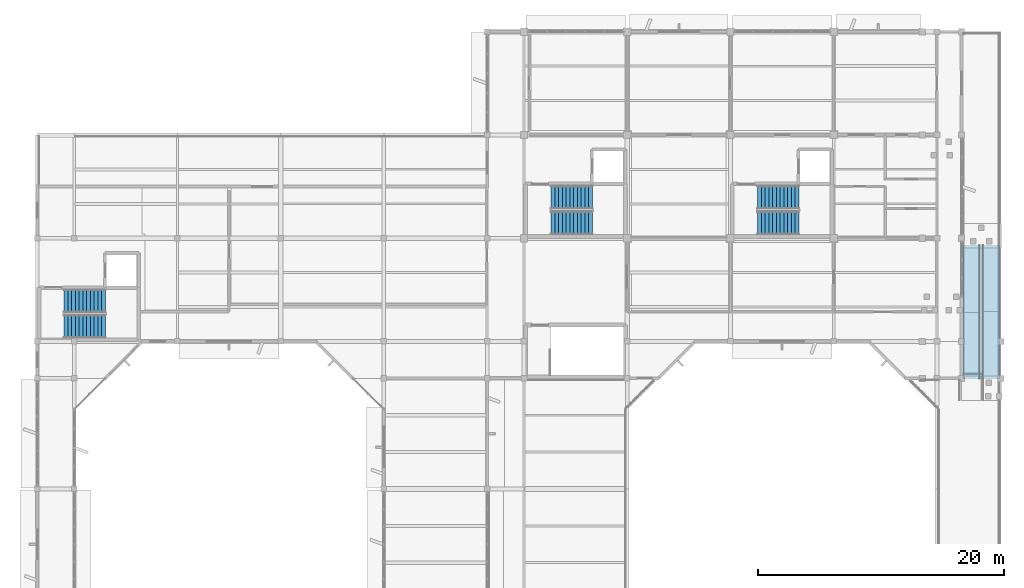
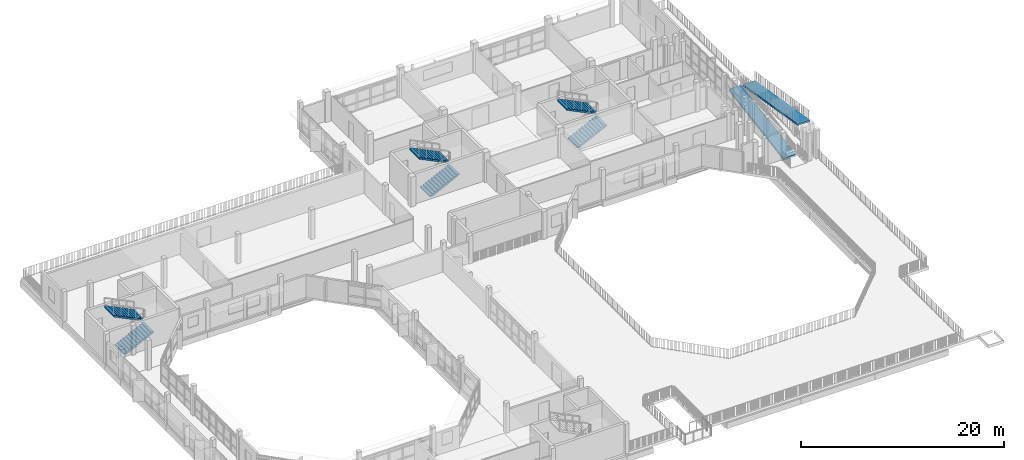
# One storey, part 25 of 42: 6 stair flights, 2 ramp flights, 4 elements without a shape of their own.
"""IFC4 building model written with IfcOpenShell, lengths in metres."""

from ifc_helpers import new_model, si_unit, direction, frame, origin, place, context, subcontext, project, spatial, polyline, outline, extrude, material, layer, layer_set, type_object, element, aggregate, save


model = new_model("IFC4")

# Units and contexts
model_context = context("Model", 3, precision=1e-05, world=origin(), true_north=direction((0.0, 1.0)))
body_context = subcontext(model_context, "Body", "Model", "MODEL_VIEW")
ifc_project = project(units=[si_unit("LENGTHUNIT", "METRE"), si_unit("AREAUNIT", "SQUARE_METRE"), si_unit("VOLUMEUNIT", "CUBIC_METRE"), si_unit("PLANEANGLEUNIT", "RADIAN"), si_unit("MASSUNIT", "GRAM", prefix="KILO")], contexts=[model_context])

# Site, building, storey
site_placement = place(None, origin())
site = spatial("IfcSite", under=ifc_project, at=site_placement, CompositionType="ELEMENT")
building_placement = place(site_placement, origin())
building = spatial("IfcBuilding", under=site, at=building_placement, Name="Vanh Quang Courtyard School", CompositionType="ELEMENT")
storey_placement = place(building_placement, frame((0.0, 0.0, 15.0)))
storey = spatial("IfcBuildingStorey", under=building, at=storey_placement, Name="L04", CompositionType="ELEMENT", Elevation=15.0)

# Stair, stair flights
ifc_material = material(Name="Concrete C30/37", Category="concrete")
stair_type_1 = type_object("IfcStairType", Name="STR-CORE-1900", PredefinedType="HALF_TURN_STAIR", material=ifc_material)
stair_1_placement = place(storey_placement, origin())
stair_1 = element("IfcStair", 1, at=stair_1_placement, inside=storey, type_object=stair_type_1, Name="L04 ST-03", PredefinedType="HALF_TURN_STAIR")
stair_flight_type_1 = type_object("IfcStairFlightType", Name="FLT-CORE-1900", PredefinedType="STRAIGHT", material=ifc_material)
stair_flight_1_placement = place(storey_placement, frame((39.97998046875, 72.6298828125, 0.0), z_axis=(0.0, 0.0, 1.0), x_axis=(1.0, 0.0, 0.0)))
stair_flight_1 = element("IfcStairFlight", 2, at=stair_flight_1_placement, type_object=stair_flight_type_1, Name="ST-03 flight 1", NumberOfRisers=12, NumberOfTreads=11, PredefinedType="STRAIGHT", RiserHeight=0.15, TreadLength=0.305, context=body_context, shape_type="SweptSolid", body=[
    extrude(outline(polyline([(0.0, 0.0), (0.0, 0.14990234375), (0.304931640625, 0.14990234375), (0.304931640625, 0.300048828125), (0.610107421875, 0.300048828125), (0.610107421875, 0.449951171875), (0.9150390625, 0.449951171875), (0.9150390625, 0.60009765625), (1.219970703125, 0.60009765625), (1.219970703125, 0.75), (1.52490234375, 0.75), (1.52490234375, 0.89990234375), (1.830078125, 0.89990234375), (1.830078125, 1.050048828125), (2.135009765625, 1.050048828125), (2.135009765625, 1.199951171875), (2.43994140625, 1.199951171875), (2.43994140625, 1.35009765625), (2.7451171875, 1.35009765625), (2.7451171875, 1.5), (3.050048828125, 1.5), (3.050048828125, 1.64990234375), (3.35498046875, 1.64990234375), (3.35498046875, 1.800048828125), (3.35498046875, 1.48291015625), (0.339599609375, 0.0), (0.0, 0.0)])), frame((0.0, 0.949951171875, 0.0), z_axis=(0.0, -1.0, 0.0), x_axis=(1.0, 0.0, 0.0)), (0.0, 0.0, 1.0), 1.89990234375),
])
stair_flight_2_placement = place(storey_placement, frame((43.3349609375, 74.68994140625, 1.800048828125), z_axis=(0.0, 0.0, 1.0), x_axis=(-1.0, 0.0, 0.0)))
stair_flight_2 = element("IfcStairFlight", 3, at=stair_flight_2_placement, type_object=stair_flight_type_1, Name="ST-03 flight 2", NumberOfRisers=12, NumberOfTreads=11, PredefinedType="STRAIGHT", RiserHeight=0.15, TreadLength=0.305, context=body_context, shape_type="SweptSolid", body=[
    extrude(outline(polyline([(0.0, 0.0), (0.0, 0.14990234375), (0.304931640625, 0.14990234375), (0.304931640625, 0.300048828125), (0.610107421875, 0.300048828125), (0.610107421875, 0.449951171875), (0.9150390625, 0.449951171875), (0.9150390625, 0.60009765625), (1.219970703125, 0.60009765625), (1.219970703125, 0.75), (1.52490234375, 0.75), (1.52490234375, 0.89990234375), (1.830078125, 0.89990234375), (1.830078125, 1.050048828125), (2.135009765625, 1.050048828125), (2.135009765625, 1.199951171875), (2.43994140625, 1.199951171875), (2.43994140625, 1.35009765625), (2.7451171875, 1.35009765625), (2.7451171875, 1.5), (3.050048828125, 1.5), (3.050048828125, 1.64990234375), (3.35498046875, 1.64990234375), (3.35498046875, 1.800048828125), (3.35498046875, 1.48291015625), (0.339599609375, 0.0), (0.0, 0.0)])), frame((0.0, 0.949951171875, 0.0), z_axis=(0.0, -1.0, 0.0), x_axis=(1.0, 0.0, 0.0)), (0.0, 0.0, 1.0), 1.89990234375),
])
aggregate(stair_1, [stair_flight_1, stair_flight_2])

stair_type_2 = type_object("IfcStairType", Name="STR-CORE-1920", PredefinedType="HALF_TURN_STAIR", material=ifc_material)
stair_2_placement = place(storey_placement, origin())
stair_2 = element("IfcStair", 4, at=stair_2_placement, inside=storey, type_object=stair_type_2, Name="L04 ST-01", PredefinedType="HALF_TURN_STAIR")
stair_flight_type_2 = type_object("IfcStairFlightType", Name="FLT-CORE-1920", PredefinedType="STRAIGHT", material=ifc_material)
stair_flight_3_placement = place(storey_placement, frame((79.60009765625, 81.0400390625, 0.0), z_axis=(0.0, 0.0, 1.0), x_axis=(1.0, 0.0, 0.0)))
stair_flight_3 = element("IfcStairFlight", 5, at=stair_flight_3_placement, type_object=stair_flight_type_2, Name="ST-01 flight 1", NumberOfRisers=12, NumberOfTreads=11, PredefinedType="STRAIGHT", RiserHeight=0.15, TreadLength=0.305, context=body_context, shape_type="SweptSolid", body=[
    extrude(outline(polyline([(0.0, 0.0), (0.0, 0.14990234375), (0.304931640625, 0.14990234375), (0.304931640625, 0.300048828125), (0.610107421875, 0.300048828125), (0.610107421875, 0.449951171875), (0.9150390625, 0.449951171875), (0.9150390625, 0.60009765625), (1.219970703125, 0.60009765625), (1.219970703125, 0.75), (1.52490234375, 0.75), (1.52490234375, 0.89990234375), (1.830078125, 0.89990234375), (1.830078125, 1.050048828125), (2.135009765625, 1.050048828125), (2.135009765625, 1.199951171875), (2.43994140625, 1.199951171875), (2.43994140625, 1.35009765625), (2.7451171875, 1.35009765625), (2.7451171875, 1.5), (3.050048828125, 1.5), (3.050048828125, 1.64990234375), (3.35498046875, 1.64990234375), (3.35498046875, 1.800048828125), (3.35498046875, 1.48291015625), (0.339599609375, 0.0), (0.0, 0.0)])), frame((0.0, 0.9599609375, 0.0), z_axis=(0.0, -1.0, 0.0), x_axis=(1.0, 0.0, 0.0)), (0.0, 0.0, 1.0), 1.919921875),
])
stair_flight_4_placement = place(storey_placement, frame((82.955078125, 83.1201171875, 1.800048828125), z_axis=(0.0, 0.0, 1.0), x_axis=(-1.0, 0.0, 0.0)))
stair_flight_4 = element("IfcStairFlight", 6, at=stair_flight_4_placement, type_object=stair_flight_type_2, Name="ST-01 flight 2", NumberOfRisers=12, NumberOfTreads=11, PredefinedType="STRAIGHT", RiserHeight=0.15, TreadLength=0.305, context=body_context, shape_type="SweptSolid", body=[
    extrude(outline(polyline([(0.0, 0.0), (0.0, 0.14990234375), (0.304931640625, 0.14990234375), (0.304931640625, 0.300048828125), (0.610107421875, 0.300048828125), (0.610107421875, 0.449951171875), (0.9150390625, 0.449951171875), (0.9150390625, 0.60009765625), (1.219970703125, 0.60009765625), (1.219970703125, 0.75), (1.52490234375, 0.75), (1.52490234375, 0.89990234375), (1.830078125, 0.89990234375), (1.830078125, 1.050048828125), (2.135009765625, 1.050048828125), (2.135009765625, 1.199951171875), (2.43994140625, 1.199951171875), (2.43994140625, 1.35009765625), (2.7451171875, 1.35009765625), (2.7451171875, 1.5), (3.050048828125, 1.5), (3.050048828125, 1.64990234375), (3.35498046875, 1.64990234375), (3.35498046875, 1.800048828125), (3.35498046875, 1.48291015625), (0.339599609375, 0.0), (0.0, 0.0)])), frame((0.0, 0.9599609375, 0.0), z_axis=(0.0, -1.0, 0.0), x_axis=(1.0, 0.0, 0.0)), (0.0, 0.0, 1.0), 1.919921875),
])
aggregate(stair_2, [stair_flight_3, stair_flight_4])

stair_3_placement = place(storey_placement, origin())
stair_3 = element("IfcStair", 7, at=stair_3_placement, inside=storey, type_object=stair_type_2, Name="L04 ST-02", PredefinedType="HALF_TURN_STAIR")
stair_flight_5_placement = place(storey_placement, frame((96.39990234375, 81.0400390625, 0.0), z_axis=(0.0, 0.0, 1.0), x_axis=(1.0, 0.0, 0.0)))
stair_flight_5 = element("IfcStairFlight", 8, at=stair_flight_5_placement, type_object=stair_flight_type_2, Name="ST-02 flight 1", NumberOfRisers=12, NumberOfTreads=11, PredefinedType="STRAIGHT", RiserHeight=0.15, TreadLength=0.305, context=body_context, shape_type="SweptSolid", body=[
    extrude(outline(polyline([(0.0, 0.0), (0.0, 0.14990234375), (0.304931640625, 0.14990234375), (0.304931640625, 0.300048828125), (0.610107421875, 0.300048828125), (0.610107421875, 0.449951171875), (0.9150390625, 0.449951171875), (0.9150390625, 0.60009765625), (1.219970703125, 0.60009765625), (1.219970703125, 0.75), (1.52490234375, 0.75), (1.52490234375, 0.89990234375), (1.830078125, 0.89990234375), (1.830078125, 1.050048828125), (2.135009765625, 1.050048828125), (2.135009765625, 1.199951171875), (2.43994140625, 1.199951171875), (2.43994140625, 1.35009765625), (2.7451171875, 1.35009765625), (2.7451171875, 1.5), (3.050048828125, 1.5), (3.050048828125, 1.64990234375), (3.35498046875, 1.64990234375), (3.35498046875, 1.800048828125), (3.35498046875, 1.48291015625), (0.339599609375, 0.0), (0.0, 0.0)])), frame((0.0, 0.9599609375, 0.0), z_axis=(0.0, -1.0, 0.0), x_axis=(1.0, 0.0, 0.0)), (0.0, 0.0, 1.0), 1.919921875),
])
stair_flight_6_placement = place(storey_placement, frame((99.7548828125, 83.1201171875, 1.800048828125), z_axis=(0.0, 0.0, 1.0), x_axis=(-1.0, 0.0, 0.0)))
stair_flight_6 = element("IfcStairFlight", 9, at=stair_flight_6_placement, type_object=stair_flight_type_2, Name="ST-02 flight 2", NumberOfRisers=12, NumberOfTreads=11, PredefinedType="STRAIGHT", RiserHeight=0.15, TreadLength=0.305, context=body_context, shape_type="SweptSolid", body=[
    extrude(outline(polyline([(0.0, 0.0), (0.0, 0.14990234375), (0.304931640625, 0.14990234375), (0.304931640625, 0.300048828125), (0.610107421875, 0.300048828125), (0.610107421875, 0.449951171875), (0.9150390625, 0.449951171875), (0.9150390625, 0.60009765625), (1.219970703125, 0.60009765625), (1.219970703125, 0.75), (1.52490234375, 0.75), (1.52490234375, 0.89990234375), (1.830078125, 0.89990234375), (1.830078125, 1.050048828125), (2.135009765625, 1.050048828125), (2.135009765625, 1.199951171875), (2.43994140625, 1.199951171875), (2.43994140625, 1.35009765625), (2.7451171875, 1.35009765625), (2.7451171875, 1.5), (3.050048828125, 1.5), (3.050048828125, 1.64990234375), (3.35498046875, 1.64990234375), (3.35498046875, 1.800048828125), (3.35498046875, 1.48291015625), (0.339599609375, 0.0), (0.0, 0.0)])), frame((0.0, 0.9599609375, 0.0), z_axis=(0.0, -1.0, 0.0), x_axis=(1.0, 0.0, 0.0)), (0.0, 0.0, 1.0), 1.919921875),
])
aggregate(stair_3, [stair_flight_5, stair_flight_6])

# Ramp, ramp flights
ramp_type = type_object("IfcRampType", Name="RAMP-ACC-1400", PredefinedType="TWO_STRAIGHT_RUN_RAMP", material=ifc_material)
ramp_placement = place(storey_placement, origin())
ramp = element("IfcRamp", 10, at=ramp_placement, inside=storey, type_object=ramp_type, Name="Ramp RMP-05 (L04)", PredefinedType="TWO_STRAIGHT_RUN_RAMP")
ifc_layer = layer(ifc_material, 0.219970703125)
ifc_layer_set = layer_set([ifc_layer], Name="Concrete C30/37")
ramp_flight_type = type_object("IfcRampFlightType", Name="RAMP-FLT-1400", PredefinedType="STRAIGHT", material=ifc_layer_set)
ramp_flight_1_placement = place(storey_placement, frame((113.800048828125, 68.39990234375, 0.0), z_axis=(0.0, 0.0, 1.0), x_axis=(0.0, 1.0, 0.0)))
ramp_flight_1 = element("IfcRampFlight", 11, at=ramp_flight_1_placement, type_object=ramp_flight_type, Name="Ramp Flight RF-01 (L04)", PredefinedType="STRAIGHT", context=body_context, shape_type="SweptSolid", body=[
    extrude(outline(polyline([(0.0, 0.0), (10.800048828125, 1.800048828125), (10.800048828125, 1.580078125), (0.0, -0.219970703125), (0.0, 0.0)])), frame((0.0, 0.699951171875, 0.0), z_axis=(0.0, -1.0, 0.0), x_axis=(1.0, 0.0, 0.0)), (0.0, 0.0, 1.0), 1.39990234375),
])
ramp_flight_2_placement = place(storey_placement, frame((115.39990234375, 79.199951171875, 1.800048828125), z_axis=(0.0, 0.0, 1.0), x_axis=(0.0, -1.0, 0.0)))
ramp_flight_2 = element("IfcRampFlight", 12, at=ramp_flight_2_placement, type_object=ramp_flight_type, Name="Ramp Flight RF-01 (L04)", PredefinedType="STRAIGHT", context=body_context, shape_type="SweptSolid", body=[
    extrude(outline(polyline([(0.0, 0.0), (10.800048828125, 1.800048828125), (10.800048828125, 1.580078125), (0.0, -0.219970703125), (0.0, 0.0)])), frame((0.0, 0.699951171875, 0.0), z_axis=(0.0, -1.0, 0.0), x_axis=(1.0, 0.0, 0.0)), (0.0, 0.0, 1.0), 1.39990234375),
])
aggregate(ramp, [ramp_flight_1, ramp_flight_2])

save(model, "model.ifc")
